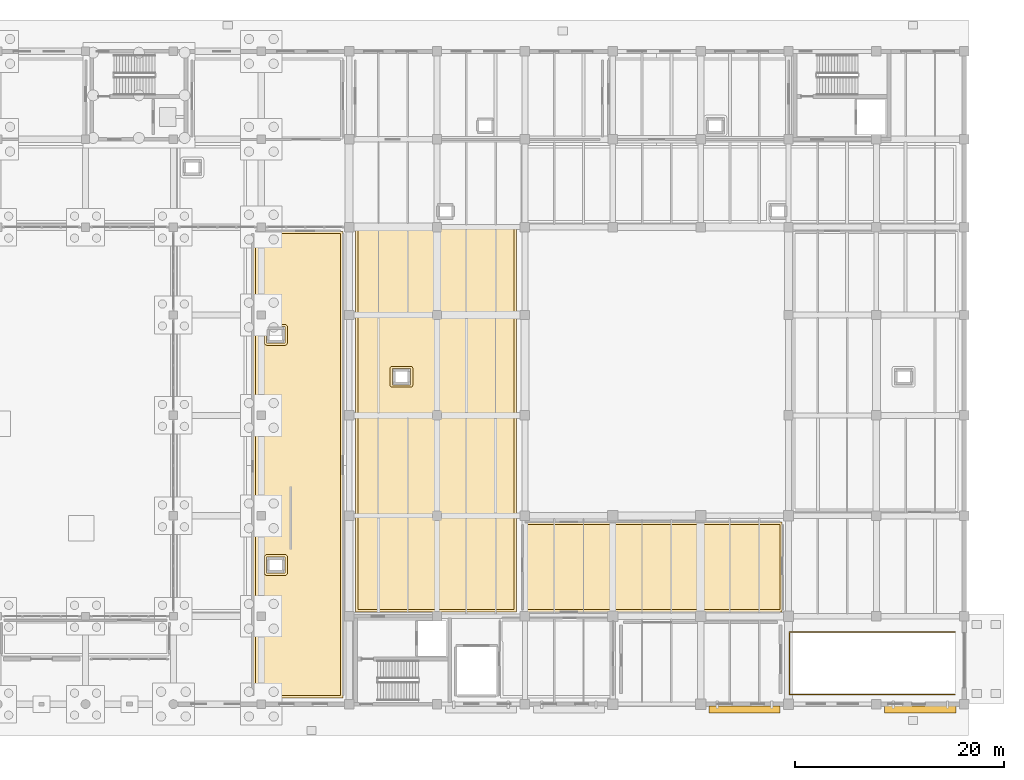
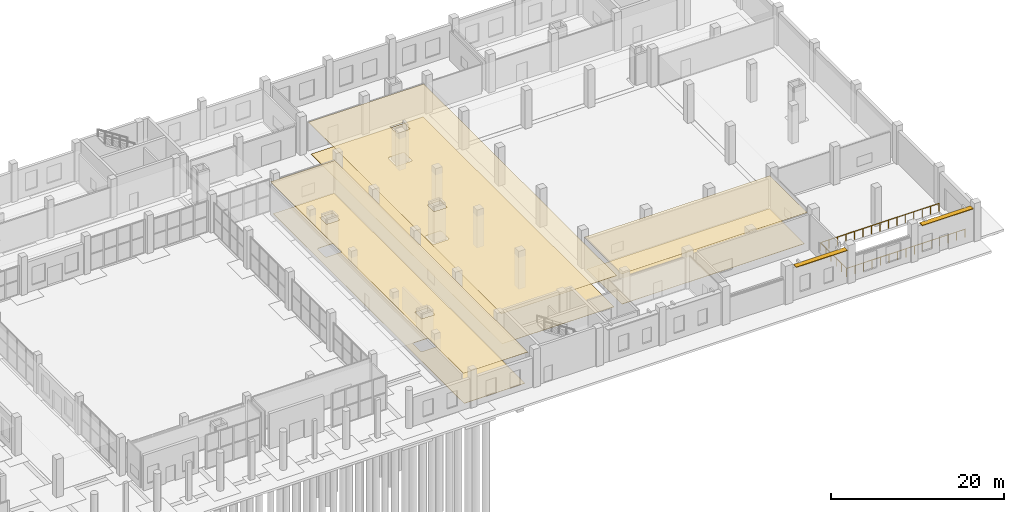
# One storey, part 62 of 65: 6 coverings, 2 shading devices, 1 railing.
"""IFC4 building model written with IfcOpenShell, lengths in metres."""

from ifc_helpers import new_model, si_unit, direction, frame, origin, origin_2d, place, context, subcontext, project, spatial, polyline, rectangle, circle, outline, extrude, material, layer, layer_set, type_object, element, save


model = new_model("IFC4")

# Units and contexts
model_context = context("Model", 3, precision=1e-05, world=origin(), true_north=direction((0.0, 1.0)))
body_context = subcontext(model_context, "Body", "Model", "MODEL_VIEW")
ifc_project = project(units=[si_unit("LENGTHUNIT", "METRE"), si_unit("AREAUNIT", "SQUARE_METRE"), si_unit("VOLUMEUNIT", "CUBIC_METRE"), si_unit("PLANEANGLEUNIT", "RADIAN"), si_unit("MASSUNIT", "GRAM", prefix="KILO")], contexts=[model_context])

# Site, building, storey
site_placement = place(None, origin())
site = spatial("IfcSite", under=ifc_project, at=site_placement, CompositionType="ELEMENT")
building_placement = place(site_placement, origin())
building = spatial("IfcBuilding", under=site, at=building_placement, Name="Zulmaris Art Gallery", CompositionType="ELEMENT")
storey_placement = place(building_placement, origin())
storey = spatial("IfcBuildingStorey", under=building, at=storey_placement, Name="L00", CompositionType="ELEMENT", Elevation=0.0)

# Coverings
ifc_material_1 = material(Name="Micro-Perforated Gypsum Acoustic Ceiling", Category="gypsum")
ifc_layer_1 = layer(ifc_material_1, 0.02490234375)
ifc_layer_set_1 = layer_set([ifc_layer_1], Name="Micro-Perforated Gypsum Acoustic Ceiling")
covering_type_1 = type_object("IfcCoveringType", Name="COV-CL01", PredefinedType="CEILING", material=ifc_layer_set_1)
covering_1_placement = place(storey_placement, frame((0.0, 0.0, 4.449951171875)))
element("IfcCovering", 1, at=covering_1_placement, inside=storey, type_object=covering_type_1, Name="V5 Collections & Service Concourse acoustic ceiling", PredefinedType="CEILING", context=body_context, shape_type="SweptSolid", body=[
    extrude(outline(polyline([(142.2099609375, 66.590087890625), (157.590087890625, 66.590087890625), (157.590087890625, 22.010009765625), (142.2099609375, 22.010009765625), (142.2099609375, 66.590087890625)]), holes=[polyline([(149.94140625, 61.07861328125), (149.938720703125, 61.077392578125), (149.93603515625, 61.076171875), (149.93359375, 61.07470703125), (149.93115234375, 61.072998046875), (149.928955078125, 61.071044921875), (149.927001953125, 61.06884765625), (149.92529296875, 61.06640625), (149.923828125, 61.06396484375), (149.922607421875, 61.061279296875), (149.92138671875, 61.05859375), (149.9208984375, 61.055908203125), (149.92041015625, 61.052978515625), (149.919921875, 61.044677734375), (149.919921875, 59.555419921875), (149.92041015625, 59.547119140625), (149.9208984375, 59.544189453125), (149.92138671875, 59.54150390625), (149.922607421875, 59.53857421875), (149.923828125, 59.535888671875), (149.92529296875, 59.533447265625), (149.927001953125, 59.531005859375), (149.928955078125, 59.529052734375), (149.93115234375, 59.527099609375), (149.93359375, 59.525390625), (149.93603515625, 59.523681640625), (149.938720703125, 59.5224609375), (149.94140625, 59.521484375), (149.944091796875, 59.520751953125), (149.947021484375, 59.5205078125), (149.955322265625, 59.52001953125), (151.64453125, 59.52001953125), (151.65283203125, 59.5205078125), (151.65576171875, 59.520751953125), (151.65869140625, 59.521484375), (151.661376953125, 59.5224609375), (151.6640625, 59.523681640625), (151.66650390625, 59.525390625), (151.6689453125, 59.527099609375), (151.6708984375, 59.529052734375), (151.673095703125, 59.531005859375), (151.6748046875, 59.533447265625), (151.67626953125, 59.535888671875), (151.677490234375, 59.53857421875), (151.678466796875, 59.54150390625), (151.67919921875, 59.544189453125), (151.6796875, 59.547119140625), (151.679931640625, 59.555419921875), (151.679931640625, 61.044677734375), (151.6796875, 61.052978515625), (151.67919921875, 61.055908203125), (151.678466796875, 61.05859375), (151.677490234375, 61.061279296875), (151.67626953125, 61.06396484375), (151.6748046875, 61.06640625), (151.673095703125, 61.06884765625), (151.6708984375, 61.071044921875), (151.6689453125, 61.072998046875), (151.66650390625, 61.07470703125), (151.6640625, 61.076171875), (151.661376953125, 61.077392578125), (151.65869140625, 61.07861328125), (151.65576171875, 61.0791015625), (151.65283203125, 61.07958984375), (151.64453125, 61.080078125), (149.955322265625, 61.080078125), (149.947021484375, 61.07958984375), (149.944091796875, 61.0791015625), (149.94140625, 61.07861328125)]), polyline([(145.741455078125, 45.278564453125), (145.738525390625, 45.277587890625), (145.736083984375, 45.276123046875), (145.7333984375, 45.274658203125), (145.731201171875, 45.27294921875), (145.72900390625, 45.27099609375), (145.72705078125, 45.268798828125), (145.725341796875, 45.2666015625), (145.723876953125, 45.263916015625), (145.722412109375, 45.261474609375), (145.721435546875, 45.258544921875), (145.720703125, 45.255859375), (145.720458984375, 45.2529296875), (145.719970703125, 45.24462890625), (145.719970703125, 43.75537109375), (145.720458984375, 43.7470703125), (145.720703125, 43.744140625), (145.721435546875, 43.741455078125), (145.722412109375, 43.738525390625), (145.723876953125, 43.736083984375), (145.725341796875, 43.7333984375), (145.72705078125, 43.731201171875), (145.72900390625, 43.72900390625), (145.731201171875, 43.72705078125), (145.7333984375, 43.725341796875), (145.736083984375, 43.723876953125), (145.738525390625, 43.722412109375), (145.741455078125, 43.721435546875), (145.744140625, 43.720703125), (145.7470703125, 43.720458984375), (145.75537109375, 43.719970703125), (147.444580078125, 43.719970703125), (147.452880859375, 43.720458984375), (147.455810546875, 43.720703125), (147.45849609375, 43.721435546875), (147.46142578125, 43.722412109375), (147.464111328125, 43.723876953125), (147.466552734375, 43.725341796875), (147.468994140625, 43.72705078125), (147.470947265625, 43.72900390625), (147.472900390625, 43.731201171875), (147.474609375, 43.7333984375), (147.476318359375, 43.736083984375), (147.4775390625, 43.738525390625), (147.478515625, 43.741455078125), (147.479248046875, 43.744140625), (147.4794921875, 43.7470703125), (147.47998046875, 43.75537109375), (147.47998046875, 45.24462890625), (147.4794921875, 45.2529296875), (147.479248046875, 45.255859375), (147.478515625, 45.258544921875), (147.4775390625, 45.261474609375), (147.476318359375, 45.263916015625), (147.474609375, 45.2666015625), (147.472900390625, 45.268798828125), (147.470947265625, 45.27099609375), (147.468994140625, 45.27294921875), (147.466552734375, 45.274658203125), (147.464111328125, 45.276123046875), (147.46142578125, 45.277587890625), (147.45849609375, 45.278564453125), (147.455810546875, 45.279296875), (147.452880859375, 45.279541015625), (147.444580078125, 45.280029296875), (145.75537109375, 45.280029296875), (145.7470703125, 45.279541015625), (145.744140625, 45.279296875), (145.741455078125, 45.278564453125)])]), origin(), (0.0, 0.0, 1.0), 0.030029296875),
])
covering_2_placement = place(storey_placement, frame((0.0, 0.0, 4.449951171875)))
element("IfcCovering", 2, at=covering_2_placement, inside=storey, type_object=covering_type_1, Name="Registrar Unpacking & Inspection Hall acoustic ceiling", PredefinedType="CEILING", context=body_context, shape_type="SweptSolid", body=[
    extrude(outline(polyline([(158.2099609375, 30.590087890625), (182.989990234375, 30.590087890625), (182.989990234375, 22.010009765625), (158.2099609375, 22.010009765625), (158.2099609375, 30.590087890625)])), origin(), (0.0, 0.0, 1.0), 0.030029296875),
])
ifc_material_2 = material(Name="Luminous UV-Diffusing Stretched Gallery Ceiling", Category="gypsum")
ifc_layer_2 = layer(ifc_material_2, 0.034912109375)
ifc_layer_set_2 = layer_set([ifc_layer_2], Name="Luminous UV-Diffusing Stretched Gallery Ceiling")
covering_type_2 = type_object("IfcCoveringType", Name="COV-CL02", PredefinedType="CEILING", material=ifc_layer_set_2)
covering_3_placement = place(storey_placement, frame((0.0, 0.0, 4.449951171875)))
element("IfcCovering", 3, at=covering_3_placement, inside=storey, type_object=covering_type_2, Name="Temporary Exhibition Gallery East acoustic ceiling", PredefinedType="CEILING", context=body_context, shape_type="SweptSolid", body=[
    extrude(outline(polyline([(132.409912109375, 58.389892578125), (140.989990234375, 58.389892578125), (140.989990234375, 13.81005859375), (132.409912109375, 13.81005859375), (132.409912109375, 58.389892578125)]), holes=[polyline([(133.721435546875, 25.741455078125), (133.722412109375, 25.738525390625), (133.723876953125, 25.736083984375), (133.725341796875, 25.7333984375), (133.72705078125, 25.731201171875), (133.72900390625, 25.72900390625), (133.731201171875, 25.72705078125), (133.7333984375, 25.725341796875), (133.736083984375, 25.723876953125), (133.738525390625, 25.722412109375), (133.741455078125, 25.721435546875), (133.744140625, 25.720703125), (133.7470703125, 25.720458984375), (133.75537109375, 25.719970703125), (135.444580078125, 25.719970703125), (135.452880859375, 25.720458984375), (135.455810546875, 25.720703125), (135.45849609375, 25.721435546875), (135.46142578125, 25.722412109375), (135.464111328125, 25.723876953125), (135.466552734375, 25.725341796875), (135.468994140625, 25.72705078125), (135.470947265625, 25.72900390625), (135.472900390625, 25.731201171875), (135.474609375, 25.7333984375), (135.476318359375, 25.736083984375), (135.4775390625, 25.738525390625), (135.478515625, 25.741455078125), (135.479248046875, 25.744140625), (135.4794921875, 25.7470703125), (135.47998046875, 25.75537109375), (135.47998046875, 27.24462890625), (135.4794921875, 27.2529296875), (135.479248046875, 27.255859375), (135.478515625, 27.258544921875), (135.4775390625, 27.261474609375), (135.476318359375, 27.263916015625), (135.474609375, 27.2666015625), (135.472900390625, 27.268798828125), (135.470947265625, 27.27099609375), (135.468994140625, 27.27294921875), (135.466552734375, 27.274658203125), (135.464111328125, 27.276123046875), (135.46142578125, 27.277587890625), (135.45849609375, 27.278564453125), (135.455810546875, 27.279296875), (135.452880859375, 27.279541015625), (135.444580078125, 27.280029296875), (133.75537109375, 27.280029296875), (133.7470703125, 27.279541015625), (133.744140625, 27.279296875), (133.741455078125, 27.278564453125), (133.738525390625, 27.277587890625), (133.736083984375, 27.276123046875), (133.7333984375, 27.274658203125), (133.731201171875, 27.27294921875), (133.72900390625, 27.27099609375), (133.72705078125, 27.268798828125), (133.725341796875, 27.2666015625), (133.723876953125, 27.263916015625), (133.722412109375, 27.261474609375), (133.721435546875, 27.258544921875), (133.720703125, 27.255859375), (133.720458984375, 27.2529296875), (133.719970703125, 27.24462890625), (133.719970703125, 25.75537109375), (133.720458984375, 25.7470703125), (133.720703125, 25.744140625), (133.721435546875, 25.741455078125)]), polyline([(133.721435546875, 47.741455078125), (133.722412109375, 47.738525390625), (133.723876953125, 47.736083984375), (133.725341796875, 47.7333984375), (133.72705078125, 47.731201171875), (133.72900390625, 47.72900390625), (133.731201171875, 47.72705078125), (133.7333984375, 47.725341796875), (133.736083984375, 47.723876953125), (133.738525390625, 47.722412109375), (133.741455078125, 47.721435546875), (133.744140625, 47.720703125), (133.7470703125, 47.720458984375), (133.75537109375, 47.719970703125), (135.444580078125, 47.719970703125), (135.452880859375, 47.720458984375), (135.455810546875, 47.720703125), (135.45849609375, 47.721435546875), (135.46142578125, 47.722412109375), (135.464111328125, 47.723876953125), (135.466552734375, 47.725341796875), (135.468994140625, 47.72705078125), (135.470947265625, 47.72900390625), (135.472900390625, 47.731201171875), (135.474609375, 47.7333984375), (135.476318359375, 47.736083984375), (135.4775390625, 47.738525390625), (135.478515625, 47.741455078125), (135.479248046875, 47.744140625), (135.4794921875, 47.7470703125), (135.47998046875, 47.75537109375), (135.47998046875, 49.24462890625), (135.4794921875, 49.2529296875), (135.479248046875, 49.255859375), (135.478515625, 49.258544921875), (135.4775390625, 49.261474609375), (135.476318359375, 49.263916015625), (135.474609375, 49.2666015625), (135.472900390625, 49.268798828125), (135.470947265625, 49.27099609375), (135.468994140625, 49.27294921875), (135.466552734375, 49.274658203125), (135.464111328125, 49.276123046875), (135.46142578125, 49.277587890625), (135.45849609375, 49.278564453125), (135.455810546875, 49.279296875), (135.452880859375, 49.279541015625), (135.444580078125, 49.280029296875), (133.75537109375, 49.280029296875), (133.7470703125, 49.279541015625), (133.744140625, 49.279296875), (133.741455078125, 49.278564453125), (133.738525390625, 49.277587890625), (133.736083984375, 49.276123046875), (133.7333984375, 49.274658203125), (133.731201171875, 49.27294921875), (133.72900390625, 49.27099609375), (133.72705078125, 49.268798828125), (133.725341796875, 49.2666015625), (133.723876953125, 49.263916015625), (133.722412109375, 49.261474609375), (133.721435546875, 49.258544921875), (133.720703125, 49.255859375), (133.720458984375, 49.2529296875), (133.719970703125, 49.24462890625), (133.719970703125, 47.75537109375), (133.720458984375, 47.7470703125), (133.720703125, 47.744140625), (133.721435546875, 47.741455078125)])]), origin(), (0.0, 0.0, 1.0), 0.030029296875),
])
ifc_material_3 = material(Name="Honed Omani Limestone Terrazzo Flooring", Category="masonry")
ifc_layer_3 = layer(ifc_material_3, 0.0400390625)
ifc_layer_set_3 = layer_set([ifc_layer_3], Name="Honed Omani Limestone Terrazzo Flooring")
covering_type_3 = type_object("IfcCoveringType", Name="COV-FL01", PredefinedType="FLOORING", material=ifc_layer_set_3)
covering_4_placement = place(storey_placement, origin())
element("IfcCovering", 4, at=covering_4_placement, inside=storey, type_object=covering_type_3, Name="V5 Collections & Service Concourse finish flooring", PredefinedType="FLOORING", context=body_context, shape_type="SweptSolid", body=[
    extrude(outline(polyline([(157.3701171875, 22.22998046875), (142.429931640625, 22.22998046875), (142.429931640625, 66.3701171875), (157.3701171875, 66.3701171875), (157.3701171875, 22.22998046875)]), holes=[polyline([(149.925537109375, 61.298828125), (149.901123046875, 61.295166015625), (149.87744140625, 61.289306640625), (149.854248046875, 61.281005859375), (149.832275390625, 61.2705078125), (149.81103515625, 61.2578125), (149.79150390625, 61.243408203125), (149.773193359375, 61.226806640625), (149.756591796875, 61.20849609375), (149.7421875, 61.18896484375), (149.7294921875, 61.167724609375), (149.718994140625, 61.145751953125), (149.710693359375, 61.12255859375), (149.704833984375, 61.098876953125), (149.701171875, 61.074462890625), (149.699951171875, 61.050048828125), (149.699951171875, 59.550048828125), (149.701171875, 59.525390625), (149.704833984375, 59.501220703125), (149.710693359375, 59.477294921875), (149.718994140625, 59.454345703125), (149.7294921875, 59.43212890625), (149.7421875, 59.4111328125), (149.756591796875, 59.391357421875), (149.773193359375, 59.373291015625), (149.79150390625, 59.356689453125), (149.81103515625, 59.342041015625), (149.832275390625, 59.32958984375), (149.854248046875, 59.319091796875), (149.87744140625, 59.310791015625), (149.901123046875, 59.3046875), (149.925537109375, 59.30126953125), (149.949951171875, 59.300048828125), (151.64990234375, 59.300048828125), (151.674560546875, 59.30126953125), (151.69873046875, 59.3046875), (151.72265625, 59.310791015625), (151.74560546875, 59.319091796875), (151.767822265625, 59.32958984375), (151.788818359375, 59.342041015625), (151.80859375, 59.356689453125), (151.826904296875, 59.373291015625), (151.84326171875, 59.391357421875), (151.85791015625, 59.4111328125), (151.87060546875, 59.43212890625), (151.881103515625, 59.454345703125), (151.88916015625, 59.477294921875), (151.895263671875, 59.501220703125), (151.898681640625, 59.525390625), (151.89990234375, 59.550048828125), (151.89990234375, 61.050048828125), (151.898681640625, 61.074462890625), (151.895263671875, 61.098876953125), (151.88916015625, 61.12255859375), (151.881103515625, 61.145751953125), (151.87060546875, 61.167724609375), (151.85791015625, 61.18896484375), (151.84326171875, 61.20849609375), (151.826904296875, 61.226806640625), (151.80859375, 61.243408203125), (151.788818359375, 61.2578125), (151.767822265625, 61.2705078125), (151.74560546875, 61.281005859375), (151.72265625, 61.289306640625), (151.69873046875, 61.295166015625), (151.674560546875, 61.298828125), (151.64990234375, 61.300048828125), (149.949951171875, 61.300048828125), (149.925537109375, 61.298828125)]), polyline([(145.7255859375, 45.498779296875), (145.701171875, 45.4951171875), (145.677490234375, 45.4892578125), (145.654296875, 45.48095703125), (145.632080078125, 45.470458984375), (145.611083984375, 45.4580078125), (145.59130859375, 45.443359375), (145.5732421875, 45.4267578125), (145.556640625, 45.40869140625), (145.5419921875, 45.388916015625), (145.529541015625, 45.367919921875), (145.51904296875, 45.345703125), (145.5107421875, 45.322509765625), (145.5048828125, 45.298828125), (145.501220703125, 45.2744140625), (145.5, 45.25), (145.5, 43.75), (145.501220703125, 43.7255859375), (145.5048828125, 43.701171875), (145.5107421875, 43.677490234375), (145.51904296875, 43.654296875), (145.529541015625, 43.632080078125), (145.5419921875, 43.611083984375), (145.556640625, 43.59130859375), (145.5732421875, 43.5732421875), (145.59130859375, 43.556640625), (145.611083984375, 43.5419921875), (145.632080078125, 43.529541015625), (145.654296875, 43.51904296875), (145.677490234375, 43.5107421875), (145.701171875, 43.5048828125), (145.7255859375, 43.501220703125), (145.75, 43.5), (147.449951171875, 43.5), (147.474609375, 43.501220703125), (147.498779296875, 43.5048828125), (147.522705078125, 43.5107421875), (147.545654296875, 43.51904296875), (147.56787109375, 43.529541015625), (147.5888671875, 43.5419921875), (147.608642578125, 43.556640625), (147.626708984375, 43.5732421875), (147.643310546875, 43.59130859375), (147.657958984375, 43.611083984375), (147.67041015625, 43.632080078125), (147.680908203125, 43.654296875), (147.689208984375, 43.677490234375), (147.6953125, 43.701171875), (147.69873046875, 43.7255859375), (147.699951171875, 43.75), (147.699951171875, 45.25), (147.69873046875, 45.2744140625), (147.6953125, 45.298828125), (147.689208984375, 45.322509765625), (147.680908203125, 45.345703125), (147.67041015625, 45.367919921875), (147.657958984375, 45.388916015625), (147.643310546875, 45.40869140625), (147.626708984375, 45.4267578125), (147.608642578125, 45.443359375), (147.5888671875, 45.4580078125), (147.56787109375, 45.470458984375), (147.545654296875, 45.48095703125), (147.522705078125, 45.4892578125), (147.498779296875, 45.4951171875), (147.474609375, 45.498779296875), (147.449951171875, 45.5), (145.75, 45.5), (145.7255859375, 45.498779296875)])]), origin(), (0.0, 0.0, 1.0), 0.034912109375),
])
covering_5_placement = place(storey_placement, origin())
element("IfcCovering", 5, at=covering_5_placement, inside=storey, type_object=covering_type_3, Name="Registrar Unpacking & Inspection Hall finish flooring", PredefinedType="FLOORING", context=body_context, shape_type="SweptSolid", body=[
    extrude(outline(polyline([(182.77001953125, 22.22998046875), (158.429931640625, 22.22998046875), (158.429931640625, 30.3701171875), (182.77001953125, 30.3701171875), (182.77001953125, 22.22998046875)])), origin(), (0.0, 0.0, 1.0), 0.034912109375),
])
ifc_material_4 = material(Name="Oiled European Oak Gallery Parquet Flooring", Category="timber")
ifc_layer_4 = layer(ifc_material_4, 0.030029296875)
ifc_layer_set_4 = layer_set([ifc_layer_4], Name="Oiled European Oak Gallery Parquet Flooring")
covering_type_4 = type_object("IfcCoveringType", Name="COV-FL02", PredefinedType="FLOORING", material=ifc_layer_set_4)
covering_6_placement = place(storey_placement, origin())
element("IfcCovering", 6, at=covering_6_placement, inside=storey, type_object=covering_type_4, Name="Temporary Exhibition Gallery East finish flooring", PredefinedType="FLOORING", context=body_context, shape_type="SweptSolid", body=[
    extrude(outline(polyline([(140.77001953125, 14.030029296875), (132.6298828125, 14.030029296875), (132.6298828125, 58.169921875), (140.77001953125, 58.169921875), (140.77001953125, 14.030029296875)]), holes=[polyline([(133.501220703125, 25.7255859375), (133.5048828125, 25.701171875), (133.5107421875, 25.677490234375), (133.51904296875, 25.654296875), (133.529541015625, 25.632080078125), (133.5419921875, 25.611083984375), (133.556640625, 25.59130859375), (133.5732421875, 25.5732421875), (133.59130859375, 25.556640625), (133.611083984375, 25.5419921875), (133.632080078125, 25.529541015625), (133.654296875, 25.51904296875), (133.677490234375, 25.5107421875), (133.701171875, 25.5048828125), (133.7255859375, 25.501220703125), (133.75, 25.5), (135.449951171875, 25.5), (135.474609375, 25.501220703125), (135.498779296875, 25.5048828125), (135.522705078125, 25.5107421875), (135.545654296875, 25.51904296875), (135.56787109375, 25.529541015625), (135.5888671875, 25.5419921875), (135.608642578125, 25.556640625), (135.626708984375, 25.5732421875), (135.643310546875, 25.59130859375), (135.657958984375, 25.611083984375), (135.67041015625, 25.632080078125), (135.680908203125, 25.654296875), (135.689208984375, 25.677490234375), (135.6953125, 25.701171875), (135.69873046875, 25.7255859375), (135.699951171875, 25.75), (135.699951171875, 27.25), (135.69873046875, 27.2744140625), (135.6953125, 27.298828125), (135.689208984375, 27.322509765625), (135.680908203125, 27.345703125), (135.67041015625, 27.367919921875), (135.657958984375, 27.388916015625), (135.643310546875, 27.40869140625), (135.626708984375, 27.4267578125), (135.608642578125, 27.443359375), (135.5888671875, 27.4580078125), (135.56787109375, 27.470458984375), (135.545654296875, 27.48095703125), (135.522705078125, 27.4892578125), (135.498779296875, 27.4951171875), (135.474609375, 27.498779296875), (135.449951171875, 27.5), (133.75, 27.5), (133.7255859375, 27.498779296875), (133.701171875, 27.4951171875), (133.677490234375, 27.4892578125), (133.654296875, 27.48095703125), (133.632080078125, 27.470458984375), (133.611083984375, 27.4580078125), (133.59130859375, 27.443359375), (133.5732421875, 27.4267578125), (133.556640625, 27.40869140625), (133.5419921875, 27.388916015625), (133.529541015625, 27.367919921875), (133.51904296875, 27.345703125), (133.5107421875, 27.322509765625), (133.5048828125, 27.298828125), (133.501220703125, 27.2744140625), (133.5, 27.25), (133.5, 25.75), (133.501220703125, 25.7255859375)]), polyline([(133.501220703125, 47.7255859375), (133.5048828125, 47.701171875), (133.5107421875, 47.677490234375), (133.51904296875, 47.654296875), (133.529541015625, 47.632080078125), (133.5419921875, 47.611083984375), (133.556640625, 47.59130859375), (133.5732421875, 47.5732421875), (133.59130859375, 47.556640625), (133.611083984375, 47.5419921875), (133.632080078125, 47.529541015625), (133.654296875, 47.51904296875), (133.677490234375, 47.5107421875), (133.701171875, 47.5048828125), (133.7255859375, 47.501220703125), (133.75, 47.5), (135.449951171875, 47.5), (135.474609375, 47.501220703125), (135.498779296875, 47.5048828125), (135.522705078125, 47.5107421875), (135.545654296875, 47.51904296875), (135.56787109375, 47.529541015625), (135.5888671875, 47.5419921875), (135.608642578125, 47.556640625), (135.626708984375, 47.5732421875), (135.643310546875, 47.59130859375), (135.657958984375, 47.611083984375), (135.67041015625, 47.632080078125), (135.680908203125, 47.654296875), (135.689208984375, 47.677490234375), (135.6953125, 47.701171875), (135.69873046875, 47.7255859375), (135.699951171875, 47.75), (135.699951171875, 49.25), (135.69873046875, 49.2744140625), (135.6953125, 49.298828125), (135.689208984375, 49.322509765625), (135.680908203125, 49.345703125), (135.67041015625, 49.367919921875), (135.657958984375, 49.388916015625), (135.643310546875, 49.40869140625), (135.626708984375, 49.4267578125), (135.608642578125, 49.443359375), (135.5888671875, 49.4580078125), (135.56787109375, 49.470458984375), (135.545654296875, 49.48095703125), (135.522705078125, 49.4892578125), (135.498779296875, 49.4951171875), (135.474609375, 49.498779296875), (135.449951171875, 49.5), (133.75, 49.5), (133.7255859375, 49.498779296875), (133.701171875, 49.4951171875), (133.677490234375, 49.4892578125), (133.654296875, 49.48095703125), (133.632080078125, 49.470458984375), (133.611083984375, 49.4580078125), (133.59130859375, 49.443359375), (133.5732421875, 49.4267578125), (133.556640625, 49.40869140625), (133.5419921875, 49.388916015625), (133.529541015625, 49.367919921875), (133.51904296875, 49.345703125), (133.5107421875, 49.322509765625), (133.5048828125, 49.298828125), (133.501220703125, 49.2744140625), (133.5, 49.25), (133.5, 47.75), (133.501220703125, 47.7255859375)])]), origin(), (0.0, 0.0, 1.0), 0.034912109375),
])

# Railing
ifc_material_5 = material(Name="Bronze & Laminated Glass Balustrade", Category="glass")
ifc_layer_5 = layer(ifc_material_5, 0.070068359375)
ifc_layer_set_5 = layer_set([ifc_layer_5], Name="Bronze & Laminated Glass Balustrade")
railing_type = type_object("IfcRailingType", Name="RAIL-BAL02", PredefinedType="BALUSTRADE", material=ifc_layer_set_5)
railing_placement = place(storey_placement, frame((199.5, 14.10009765625, 0.0)))
element("IfcRailing", 7, at=railing_placement, inside=storey, type_object=railing_type, Name="L00 Vehicle Ramp Well Guard", PredefinedType="BALUSTRADE", context=body_context, shape_type="SweptSolid", body=[
    extrude(circle(Radius=0.02392578125, at=origin_2d()), frame((0.0, 0.0, 1.15576171875), z_axis=(-1.0, 0.0, 0.0), x_axis=(0.0, -1.0, 0.0)), (0.0, 0.0, 1.0), 15.800048828125),
    extrude(circle(Radius=0.02392578125, at=origin_2d()), frame((-15.800048828125, 0.0, 1.15576171875), z_axis=(0.0, 1.0, 0.0), x_axis=(-1.0, 0.0, 0.0)), (0.0, 0.0, 1.0), 6.0),
    extrude(circle(Radius=0.02392578125, at=origin_2d()), frame((-15.800048828125, 6.0, 1.15576171875), z_axis=(1.0, 0.0, 0.0), x_axis=(0.0, 1.0, 0.0)), (0.0, 0.0, 1.0), 15.800048828125),
    extrude(circle(Radius=0.02099609375, at=origin_2d()), origin(), (0.0, 0.0, 1.0), 1.1318359375),
    extrude(circle(Radius=0.02099609375, at=origin_2d()), frame((-1.128662109375, 0.0, 0.0)), (0.0, 0.0, 1.0), 1.1318359375),
    extrude(circle(Radius=0.02099609375, at=origin_2d()), frame((-2.257080078125, 0.0, 0.0)), (0.0, 0.0, 1.0), 1.1318359375),
    extrude(circle(Radius=0.02099609375, at=origin_2d()), frame((-3.3857421875, 0.0, 0.0)), (0.0, 0.0, 1.0), 1.1318359375),
    extrude(circle(Radius=0.02099609375, at=origin_2d()), frame((-4.514404296875, 0.0, 0.0)), (0.0, 0.0, 1.0), 1.1318359375),
    extrude(circle(Radius=0.02099609375, at=origin_2d()), frame((-5.642822265625, 0.0, 0.0)), (0.0, 0.0, 1.0), 1.1318359375),
    extrude(circle(Radius=0.02099609375, at=origin_2d()), frame((-6.771484375, 0.0, 0.0)), (0.0, 0.0, 1.0), 1.1318359375),
    extrude(circle(Radius=0.02099609375, at=origin_2d()), frame((-7.89990234375, 0.0, 0.0)), (0.0, 0.0, 1.0), 1.1318359375),
    extrude(circle(Radius=0.02099609375, at=origin_2d()), frame((-9.028564453125, 0.0, 0.0)), (0.0, 0.0, 1.0), 1.1318359375),
    extrude(circle(Radius=0.02099609375, at=origin_2d()), frame((-10.1572265625, 0.0, 0.0)), (0.0, 0.0, 1.0), 1.1318359375),
    extrude(circle(Radius=0.02099609375, at=origin_2d()), frame((-11.28564453125, 0.0, 0.0)), (0.0, 0.0, 1.0), 1.1318359375),
    extrude(circle(Radius=0.02099609375, at=origin_2d()), frame((-12.414306640625, 0.0, 0.0)), (0.0, 0.0, 1.0), 1.1318359375),
    extrude(circle(Radius=0.02099609375, at=origin_2d()), frame((-13.54296875, 0.0, 0.0)), (0.0, 0.0, 1.0), 1.1318359375),
    extrude(circle(Radius=0.02099609375, at=origin_2d()), frame((-14.67138671875, 0.0, 0.0)), (0.0, 0.0, 1.0), 1.1318359375),
    extrude(circle(Radius=0.02099609375, at=origin_2d()), frame((-15.800048828125, 0.0, 0.0)), (0.0, 0.0, 1.0), 1.1318359375),
    extrude(circle(Radius=0.02099609375, at=origin_2d()), frame((-15.800048828125, 1.199951171875, 0.0)), (0.0, 0.0, 1.0), 1.1318359375),
    extrude(circle(Radius=0.02099609375, at=origin_2d()), frame((-15.800048828125, 2.39990234375, 0.0)), (0.0, 0.0, 1.0), 1.1318359375),
    extrude(circle(Radius=0.02099609375, at=origin_2d()), frame((-15.800048828125, 3.60009765625, 0.0)), (0.0, 0.0, 1.0), 1.1318359375),
    extrude(circle(Radius=0.02099609375, at=origin_2d()), frame((-15.800048828125, 4.800048828125, 0.0)), (0.0, 0.0, 1.0), 1.1318359375),
    extrude(circle(Radius=0.02099609375, at=origin_2d()), frame((-15.800048828125, 6.0, 0.0)), (0.0, 0.0, 1.0), 1.1318359375),
    extrude(circle(Radius=0.02099609375, at=origin_2d()), frame((-14.67138671875, 6.0, 0.0)), (0.0, 0.0, 1.0), 1.1318359375),
    extrude(circle(Radius=0.02099609375, at=origin_2d()), frame((-13.54296875, 6.0, 0.0)), (0.0, 0.0, 1.0), 1.1318359375),
    extrude(circle(Radius=0.02099609375, at=origin_2d()), frame((-12.414306640625, 6.0, 0.0)), (0.0, 0.0, 1.0), 1.1318359375),
    extrude(circle(Radius=0.02099609375, at=origin_2d()), frame((-11.28564453125, 6.0, 0.0)), (0.0, 0.0, 1.0), 1.1318359375),
    extrude(circle(Radius=0.02099609375, at=origin_2d()), frame((-10.1572265625, 6.0, 0.0)), (0.0, 0.0, 1.0), 1.1318359375),
    extrude(circle(Radius=0.02099609375, at=origin_2d()), frame((-9.028564453125, 6.0, 0.0)), (0.0, 0.0, 1.0), 1.1318359375),
    extrude(circle(Radius=0.02099609375, at=origin_2d()), frame((-7.89990234375, 6.0, 0.0)), (0.0, 0.0, 1.0), 1.1318359375),
    extrude(circle(Radius=0.02099609375, at=origin_2d()), frame((-6.771484375, 6.0, 0.0)), (0.0, 0.0, 1.0), 1.1318359375),
    extrude(circle(Radius=0.02099609375, at=origin_2d()), frame((-5.642822265625, 6.0, 0.0)), (0.0, 0.0, 1.0), 1.1318359375),
    extrude(circle(Radius=0.02099609375, at=origin_2d()), frame((-4.514404296875, 6.0, 0.0)), (0.0, 0.0, 1.0), 1.1318359375),
    extrude(circle(Radius=0.02099609375, at=origin_2d()), frame((-3.3857421875, 6.0, 0.0)), (0.0, 0.0, 1.0), 1.1318359375),
    extrude(circle(Radius=0.02099609375, at=origin_2d()), frame((-2.257080078125, 6.0, 0.0)), (0.0, 0.0, 1.0), 1.1318359375),
    extrude(circle(Radius=0.02099609375, at=origin_2d()), frame((-1.128662109375, 6.0, 0.0)), (0.0, 0.0, 1.0), 1.1318359375),
    extrude(circle(Radius=0.02099609375, at=origin_2d()), frame((0.0, 6.0, 0.0)), (0.0, 0.0, 1.0), 1.1318359375),
])

# Shading devices
ifc_material_6 = material(Name="Anodised Bronze Sunshade Louvre", Category="aluminium")
ifc_layer_6 = layer(ifc_material_6, 0.080078125)
ifc_layer_set_6 = layer_set([ifc_layer_6], Name="Anodised Bronze Sunshade Louvre")
shading_device_type = type_object("IfcShadingDeviceType", Name="SHD-03", PredefinedType="JALOUSIE", material=ifc_layer_set_6)
for number, where, z_axis, x_axis, name in (
    (8, (179.39990234375, 12.679931640625, 5.010009765625), (0.0, 0.0, 1.0), (1.0, 0.0, 0.0), "L00 South facade bronze solar louvre 4"),
    (9, (196.199951171875, 12.679931640625, 5.010009765625), (0.0, 0.0, 1.0), (1.0, 0.0, 0.0), "L00 South facade bronze solar louvre 6"),
):
    element("IfcShadingDevice", number, at=place(storey_placement, frame(where, z_axis=z_axis, x_axis=x_axis)), inside=storey, type_object=shading_device_type, Name=name, PredefinedType="JALOUSIE", context=body_context, shape_type="SweptSolid", body=[
        extrude(rectangle(XDim=6.800048828125, YDim=0.64990234375, at=origin_2d()), origin(), (0.0, 0.0, 1.0), 0.080078125),
    ])

save(model, "model.ifc")
